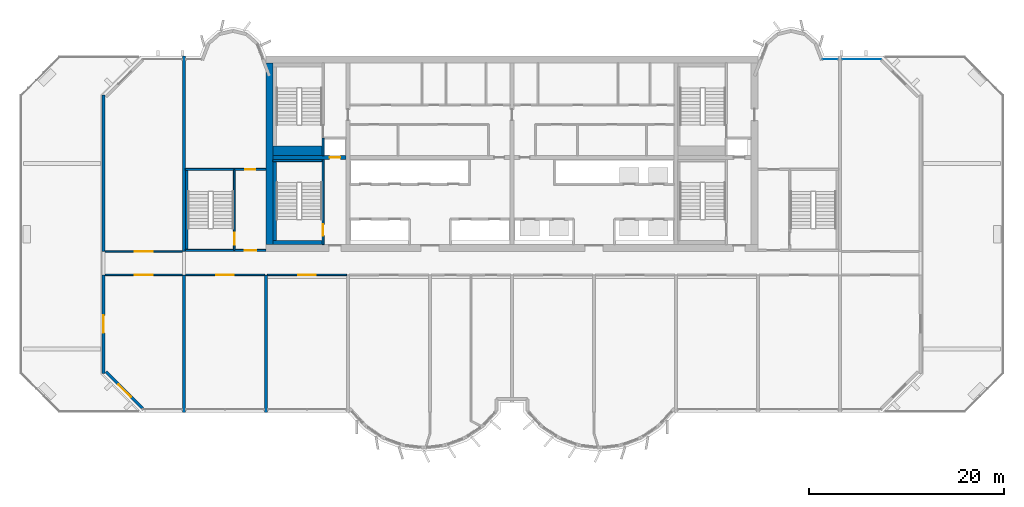
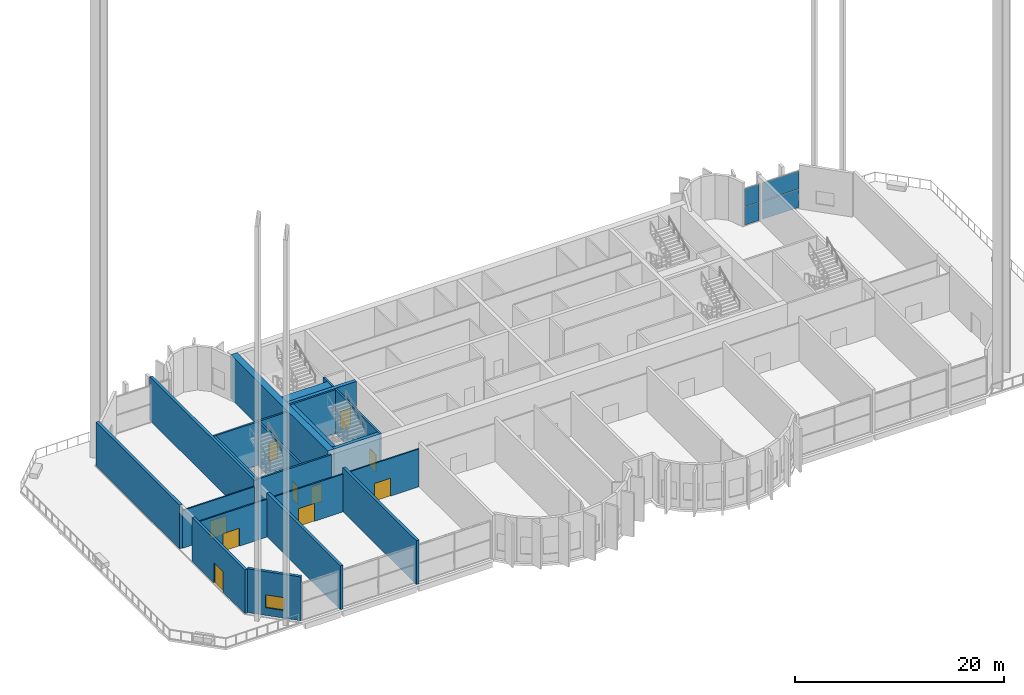
# One storey, part 10 of 19: 22 walls, 10 doors, 4 plates, 1 window, 11 openings, 2 elements without a shape of their own.
"""IFC4 building model written with IfcOpenShell, lengths in metres."""

from ifc_helpers import new_model, si_unit, direction, frame, frame_2d, origin, origin_2d, place, context, subcontext, project, spatial, rectangle, extrude, source, transform, mapped, material, layer, layer_set, type_object, element, fill, aggregate, save


model = new_model("IFC4")

# Units and contexts
model_context = context("Model", 3, precision=1e-05, world=origin(), true_north=direction((0.0, 1.0)))
body_context = subcontext(model_context, "Body", "Model", "MODEL_VIEW")
ifc_project = project(units=[si_unit("LENGTHUNIT", "METRE"), si_unit("AREAUNIT", "SQUARE_METRE"), si_unit("VOLUMEUNIT", "CUBIC_METRE"), si_unit("PLANEANGLEUNIT", "RADIAN"), si_unit("MASSUNIT", "GRAM", prefix="KILO")], contexts=[model_context])

# Site, building, storey
site_placement = place(None, origin())
site = spatial("IfcSite", under=ifc_project, at=site_placement, CompositionType="ELEMENT")
building_placement = place(site_placement, origin())
building = spatial("IfcBuilding", under=site, at=building_placement, Name="Vanashikhar Sky Hotel", CompositionType="ELEMENT")
storey_placement = place(building_placement, frame((0.0, 0.0, 146.199951171875)))
storey = spatial("IfcBuildingStorey", under=building, at=storey_placement, Name="L35", CompositionType="ELEMENT", Elevation=146.199951171875)

# Curtain wall, plates
ifc_material_1 = material(Name="Glass", Category="glass")
curtain_wall_type = type_object("IfcCurtainWallType", Name="Sky lobby curtain wall", PredefinedType="NOTDEFINED", material=ifc_material_1)
curtain_wall_1_placement = place(storey_placement, origin())
curtain_wall_1 = element("IfcCurtainWall", 1, at=curtain_wall_1_placement, inside=storey, type_object=curtain_wall_type, Name="Sky lobby curtain wall", PredefinedType="NOTDEFINED")
ifc_layer_1 = layer(ifc_material_1, 0.028076171875)
ifc_layer_set_1 = layer_set([ifc_layer_1], Name="Sky lobby glazing panel")
plate_type = type_object("IfcPlateType", Name="Sky lobby glazing panel", PredefinedType="CURTAIN_PANEL", material=ifc_layer_set_1)
shared_shape_1 = source(origin(), body_context, "Body", "SweptSolid", [
    extrude(rectangle(XDim=3.995361328125, YDim=0.028076171875, at=origin_2d()), origin(), (0.0, 0.0, 1.0), 2.094970703125),
])
plate_1_placement = place(storey_placement, frame((86.207763671875, 41.675048828125, 0.06005859375), z_axis=(0.0, 0.0, 1.0), x_axis=(-1.0, 0.0, 0.0)))
plate_1 = element("IfcPlate", 2, at=plate_1_placement, type_object=plate_type, Name="CW-4 panel 1.1", PredefinedType="CURTAIN_PANEL", context=body_context, shape_type="MappedRepresentation", body=[
    mapped(shared_shape_1, transform((0.0, 0.0, 0.0), scale=1.0)),
])
plate_2_placement = place(storey_placement, frame((86.207763671875, 41.675048828125, 2.21484375), z_axis=(0.0, 0.0, 1.0), x_axis=(-1.0, 0.0, 0.0)))
plate_2 = element("IfcPlate", 3, at=plate_2_placement, type_object=plate_type, Name="CW-4 panel 1.2", PredefinedType="CURTAIN_PANEL", context=body_context, shape_type="MappedRepresentation", body=[
    mapped(shared_shape_1, transform((0.0, 0.0, 0.0), scale=1.0)),
])
aggregate(curtain_wall_1, [plate_1, plate_2])

curtain_wall_2_placement = place(storey_placement, origin())
curtain_wall_2 = element("IfcCurtainWall", 4, at=curtain_wall_2_placement, inside=storey, type_object=curtain_wall_type, Name="Sky lobby curtain wall", PredefinedType="NOTDEFINED")
shared_shape_2 = source(origin(), body_context, "Body", "SweptSolid", [
    extrude(rectangle(XDim=1.553466796875, YDim=0.028076171875, at=origin_2d()), origin(), (0.0, 0.0, 1.0), 2.094970703125),
])
plate_3_placement = place(storey_placement, frame((83.01318359375, 41.675048828125, 0.06005859375), z_axis=(0.0, 0.0, 1.0), x_axis=(-1.0, 0.0, 0.0)))
plate_3 = element("IfcPlate", 5, at=plate_3_placement, type_object=plate_type, Name="CW-4 panel 1.1", PredefinedType="CURTAIN_PANEL", context=body_context, shape_type="MappedRepresentation", body=[
    mapped(shared_shape_2, transform((0.0, 0.0, 0.0), scale=1.0)),
])
plate_4_placement = place(storey_placement, frame((83.01318359375, 41.675048828125, 2.21484375), z_axis=(0.0, 0.0, 1.0), x_axis=(-1.0, 0.0, 0.0)))
plate_4 = element("IfcPlate", 6, at=plate_4_placement, type_object=plate_type, Name="CW-4 panel 1.2", PredefinedType="CURTAIN_PANEL", context=body_context, shape_type="MappedRepresentation", body=[
    mapped(shared_shape_2, transform((0.0, 0.0, 0.0), scale=1.0)),
])
aggregate(curtain_wall_2, [plate_3, plate_4])

# Wall
ifc_material_2 = material(Name="Concrete M60", Category="concrete")
ifc_layer_2 = layer(ifc_material_2, 0.699951171875)
ifc_layer_set_2 = layer_set([ifc_layer_2], Name="RC core shell wall 700 Concrete M60")
wall_type_1 = type_object("IfcWallType", Name="RC core shell wall 700 Concrete M60", PredefinedType="SHEAR", material=ifc_layer_set_2)
shared_shape_3 = source(origin(), body_context, "Body", "SweptSolid", [
    extrude(rectangle(XDim=18.60009765625, YDim=0.699951171875, at=frame_2d((9.300048828125, 0.0))), origin(), (0.0, 0.0, 1.0), 5.1201171875),
])
wall_1_placement = place(storey_placement, frame((25.550048828125, 22.699951171875, 0.0), z_axis=(0.0, 0.0, 1.0), x_axis=(0.0, 1.0, 0.0)))
element("IfcWall", 7, at=wall_1_placement, inside=storey, type_object=wall_type_1, Name="KW-L35-KW", PredefinedType="SHEAR", context=body_context, shape_type="MappedRepresentation", body=[
    mapped(shared_shape_3, transform((0.0, 0.0, 0.0), scale=1.0)),
])

# Wall, opening, door
ifc_layer_3 = layer(ifc_material_2, 0.39990234375)
ifc_layer_set_3 = layer_set([ifc_layer_3], Name="RC core inner wall 400 Concrete M60")
wall_type_2 = type_object("IfcWallType", Name="RC core inner wall 400 Concrete M60", PredefinedType="SHEAR", material=ifc_layer_set_3)
shared_shape_4 = source(origin(), body_context, "Body", "SweptSolid", [
    extrude(rectangle(XDim=7.5, YDim=0.39990234375, at=frame_2d((3.75, 0.0))), origin(), (0.0, 0.0, 1.0), 5.1201171875),
])
wall_2_placement = place(storey_placement, frame((25.89990234375, 31.60009765625, 0.0), z_axis=(0.0, 0.0, 1.0), x_axis=(1.0, 0.0, 0.0)))
wall_2 = element("IfcWall", 8, at=wall_2_placement, inside=storey, type_object=wall_type_2, Name="KW-L35-KY1", PredefinedType="SHEAR", context=body_context, shape_type="MappedRepresentation", body=[
    mapped(shared_shape_4, transform((0.0, 0.0, 0.0), scale=1.0)),
])
shared_shape_5 = source(origin(), body_context, "Body", "SweptSolid", [
    extrude(rectangle(XDim=1.10009765625, YDim=2.10009765625, at=frame_2d((0.550048828125, 1.050048828125))), frame((0.0, 0.2099609375, 0.0), z_axis=(0.0, -1.0, 0.0), x_axis=(1.0, 0.0, 0.0)), (0.0, 0.0, 1.0), 0.419921875),
])
opening_1_placement = place(wall_2_placement, frame((5.824951171875, 0.0, 0.0)))
opening_1 = element("IfcOpeningElement", 9, at=opening_1_placement, cuts=wall_2, Name="Opening LD", PredefinedType="OPENING", context=body_context, shape_type="MappedRepresentation", body=[
    mapped(shared_shape_5, transform((0.0, 0.0, 0.0), scale=1.0)),
])
ifc_material_3 = material(Name="Stainless steel", Category="steel")
door_type_1 = type_object("IfcDoorType", Name="Lift landing door 1100", OperationType="NOTDEFINED", PredefinedType="DOOR", material=ifc_material_3)
shared_shape_6 = source(origin(), body_context, "Body", "SweptSolid", [
    extrude(rectangle(XDim=1.10009765625, YDim=2.10009765625, at=frame_2d((0.550048828125, 1.050048828125))), frame((0.0, 0.02490234375, 0.0), z_axis=(0.0, -1.0, 0.0), x_axis=(1.0, 0.0, 0.0)), (0.0, 0.0, 1.0), 0.050048828125),
])
door_1_placement = place(opening_1_placement, origin())
door_1 = element("IfcDoor", 10, at=door_1_placement, inside=storey, type_object=door_type_1, Name="Lift landing door 1100", OperationType="SLIDING_TO_RIGHT", OverallHeight=2.10009765625, OverallWidth=1.10009765625, PredefinedType="DOOR", context=body_context, shape_type="MappedRepresentation", body=[
    mapped(shared_shape_6, transform((0.0, 0.0, 0.0), scale=1.0)),
])
fill(opening_1, door_1)

ifc_layer_4 = layer(ifc_material_2, 0.300048828125)
ifc_layer_set_4 = layer_set([ifc_layer_4], Name="RC shear wall 300 Concrete M60")
wall_type_3 = type_object("IfcWallType", Name="RC shear wall 300 Concrete M60", PredefinedType="SHEAR", material=ifc_layer_set_4)
shared_shape_7 = source(origin(), body_context, "Body", "SweptSolid", [
    extrude(rectangle(XDim=10.10009765625, YDim=0.300048828125, at=frame_2d((5.050048828125, 0.0))), origin(), (0.0, 0.0, 1.0), 5.1201171875),
])
wall_3_placement = place(storey_placement, frame((8.550048828125, 9.5, 0.0), z_axis=(0.0, 0.0, 1.0), x_axis=(0.0, 1.0, 0.0)))
wall_3 = element("IfcWall", 11, at=wall_3_placement, inside=storey, type_object=wall_type_3, Name="CW-L35-XW02-1", PredefinedType="SHEAR", context=body_context, shape_type="MappedRepresentation", body=[
    mapped(shared_shape_7, transform((0.0, 0.0, 0.0), scale=1.0)),
])
shared_shape_8 = source(origin(), body_context, "Body", "SweptSolid", [
    extrude(rectangle(XDim=1.800048828125, YDim=2.39990234375, at=frame_2d((0.89990234375, 1.199951171875))), frame((0.0, 0.16015625, 0.0), z_axis=(0.0, -1.0, 0.0), x_axis=(1.0, 0.0, 0.0)), (0.0, 0.0, 1.0), 0.320068359375),
])
opening_2_placement = place(wall_3_placement, frame((4.14990234375, 0.0, 0.0)))
opening_2 = element("IfcOpeningElement", 12, at=opening_2_placement, cuts=wall_3, Name="Opening LD-01", PredefinedType="OPENING", context=body_context, shape_type="MappedRepresentation", body=[
    mapped(shared_shape_8, transform((0.0, 0.0, 0.0), scale=1.0)),
])
ifc_material_4 = material(Name="Aluminium", Category="aluminium")
door_type_2 = type_object("IfcDoorType", Name="Lookout sliding door 1800 x 2400", OperationType="NOTDEFINED", PredefinedType="DOOR", material=ifc_material_4)
shared_shape_9 = source(origin(), body_context, "Body", "SweptSolid", [
    extrude(rectangle(XDim=1.800048828125, YDim=2.39990234375, at=frame_2d((0.89990234375, 1.199951171875))), frame((0.0, 0.02490234375, 0.0), z_axis=(0.0, -1.0, 0.0), x_axis=(1.0, 0.0, 0.0)), (0.0, 0.0, 1.0), 0.050048828125),
])
door_2_placement = place(opening_2_placement, origin())
door_2 = element("IfcDoor", 13, at=door_2_placement, inside=storey, type_object=door_type_2, Name="Terrace sliding door", OperationType="SLIDING_TO_LEFT", OverallHeight=2.39990234375, OverallWidth=1.800048828125, PredefinedType="DOOR", context=body_context, shape_type="MappedRepresentation", body=[
    mapped(shared_shape_9, transform((0.0, 0.0, 0.0), scale=1.0)),
])
fill(opening_2, door_2)

# Walls
shared_shape_10 = source(origin(), body_context, "Body", "SweptSolid", [
    extrude(rectangle(XDim=16.0, YDim=0.300048828125, at=frame_2d((8.0, 0.0))), origin(), (0.0, 0.0, 1.0), 5.1201171875),
])
wall_4_placement = place(storey_placement, frame((8.550048828125, 22.0, 0.0), z_axis=(0.0, 0.0, 1.0), x_axis=(0.0, 1.0, 0.0)))
element("IfcWall", 14, at=wall_4_placement, inside=storey, type_object=wall_type_3, Name="CW-L35-XW02-2", PredefinedType="SHEAR", context=body_context, shape_type="MappedRepresentation", body=[
    mapped(shared_shape_10, transform((0.0, 0.0, 0.0), scale=1.0)),
])
shared_shape_11 = source(origin(), body_context, "Body", "SweptSolid", [
    extrude(rectangle(XDim=14.10009765625, YDim=0.300048828125, at=frame_2d((7.050048828125, 0.0))), origin(), (0.0, 0.0, 1.0), 5.1201171875),
])
for number, where, z_axis, x_axis, name in (
    (15, (16.800048828125, 5.5, 0.0), (0.0, 0.0, 1.0), (0.0, 1.0, 0.0), "CW-L35-XW03-1"),
    (16, (25.199951171875, 5.5, 0.0), (0.0, 0.0, 1.0), (0.0, 1.0, 0.0), "CW-L35-XW04-1"),
):
    element("IfcWall", number, at=place(storey_placement, frame(where, z_axis=z_axis, x_axis=x_axis)), inside=storey, type_object=wall_type_3, Name=name, PredefinedType="SHEAR", context=body_context, shape_type="MappedRepresentation", body=[
        mapped(shared_shape_11, transform((0.0, 0.0, 0.0), scale=1.0)),
    ])
shared_shape_12 = source(origin(), body_context, "Body", "SweptSolid", [
    extrude(rectangle(XDim=20.0, YDim=0.300048828125, at=frame_2d((10.0, 0.0))), origin(), (0.0, 0.0, 1.0), 5.1201171875),
])
wall_5_placement = place(storey_placement, frame((16.800048828125, 22.0, 0.0), z_axis=(0.0, 0.0, 1.0), x_axis=(0.0, 1.0, 0.0)))
element("IfcWall", 17, at=wall_5_placement, inside=storey, type_object=wall_type_3, Name="CW-L35-XW03-2", PredefinedType="SHEAR", context=body_context, shape_type="MappedRepresentation", body=[
    mapped(shared_shape_12, transform((0.0, 0.0, 0.0), scale=1.0)),
])

# Wall, opening, window
ifc_material_5 = material(Name="Concrete M50", Category="concrete")
ifc_layer_5 = layer(ifc_material_5, 0.300048828125)
ifc_layer_set_5 = layer_set([ifc_layer_5], Name="Lobe wall 300")
wall_type_4 = type_object("IfcWallType", Name="Lobe wall 300", PredefinedType="SOLIDWALL", material=ifc_layer_set_5)
shared_shape_13 = source(origin(), body_context, "Body", "SweptSolid", [
    extrude(rectangle(XDim=5.32568359375, YDim=0.300048828125, at=frame_2d((2.662841796875, 0.0))), origin(), (0.0, 0.0, 1.0), 5.1201171875),
])
wall_6_placement = place(storey_placement, frame((8.800048828125, 9.665771484375, 0.0), z_axis=(0.0, 0.0, 1.0), x_axis=(0.707083859269, -0.707129702361, 0.0)))
wall_6 = element("IfcWall", 18, at=wall_6_placement, inside=storey, type_object=wall_type_4, Name="Corner wall", PredefinedType="SOLIDWALL", context=body_context, shape_type="MappedRepresentation", body=[
    mapped(shared_shape_13, transform((0.0, 0.0, 0.0), scale=1.0)),
])
shared_shape_14 = source(origin(), body_context, "Body", "SweptSolid", [
    extrude(rectangle(XDim=1.800048828125, YDim=1.5, at=frame_2d((0.89990234375, 0.75))), frame((0.0, 0.16015625, 0.0), z_axis=(0.0, -1.0, 0.0), x_axis=(1.0, 0.0, 0.0)), (0.0, 0.0, 1.0), 0.320068359375),
])
opening_3_placement = place(wall_6_placement, frame((1.8359375, 0.0, 0.89990234375)))
opening_3 = element("IfcOpeningElement", 19, at=opening_3_placement, cuts=wall_6, Name="Opening WN-4", PredefinedType="OPENING", context=body_context, shape_type="MappedRepresentation", body=[
    mapped(shared_shape_14, transform((0.0, 0.0, 0.0), scale=1.0)),
])
window_type = type_object("IfcWindowType", Name="Corner window 1800 x 1500", PartitioningType="SINGLE_PANEL", PredefinedType="WINDOW", material=ifc_material_1)
shared_shape_15 = source(origin(), body_context, "Body", "SweptSolid", [
    extrude(rectangle(XDim=1.800048828125, YDim=1.5, at=frame_2d((0.89990234375, 0.75))), frame((0.0, 0.030029296875, 0.0), z_axis=(0.0, -1.0, 0.0), x_axis=(1.0, 0.0, 0.0)), (0.0, 0.0, 1.0), 0.06005859375),
])
window_placement = place(opening_3_placement, origin())
window = element("IfcWindow", 20, at=window_placement, inside=storey, type_object=window_type, Name="Window WN-4", OverallHeight=1.5, OverallWidth=1.800048828125, PartitioningType="SINGLE_PANEL", PredefinedType="WINDOW", context=body_context, shape_type="MappedRepresentation", body=[
    mapped(shared_shape_15, transform((0.0, 0.0, 0.0), scale=1.0)),
])
fill(opening_3, window)

# Wall, opening, door
ifc_layer_6 = layer(ifc_material_5, 0.199951171875)
ifc_layer_set_6 = layer_set([ifc_layer_6], Name="Stair wall 200")
wall_type_5 = type_object("IfcWallType", Name="Stair wall 200", PredefinedType="SOLIDWALL", material=ifc_layer_set_6)
shared_shape_16 = source(origin(), body_context, "Body", "SweptSolid", [
    extrude(rectangle(XDim=8.2998046875, YDim=0.199951171875, at=frame_2d((4.14990234375, 0.0))), origin(), (0.0, 0.0, 1.0), 5.1201171875),
])
wall_7_placement = place(storey_placement, frame((21.949951171875, 22.10009765625, 0.0), z_axis=(0.0, 0.0, 1.0), x_axis=(0.0, 1.0, 0.0)))
wall_7 = element("IfcWall", 21, at=wall_7_placement, inside=storey, type_object=wall_type_5, Name="Stair wall 200", PredefinedType="SOLIDWALL", context=body_context, shape_type="MappedRepresentation", body=[
    mapped(shared_shape_16, transform((0.0, 0.0, 0.0), scale=1.0)),
])
shared_shape_17 = source(origin(), body_context, "Body", "SweptSolid", [
    extrude(rectangle(XDim=1.199951171875, YDim=2.10009765625, at=frame_2d((0.60009765625, 1.050048828125))), frame((0.0, 0.10986328125, 0.0), z_axis=(0.0, -1.0, 0.0), x_axis=(1.0, 0.0, 0.0)), (0.0, 0.0, 1.0), 0.219970703125),
])
opening_4_placement = place(wall_7_placement, frame((0.60009765625, 0.0, 0.0)))
opening_4 = element("IfcOpeningElement", 22, at=opening_4_placement, cuts=wall_7, Name="Opening DC-1", PredefinedType="OPENING", context=body_context, shape_type="MappedRepresentation", body=[
    mapped(shared_shape_17, transform((0.0, 0.0, 0.0), scale=1.0)),
])
ifc_material_6 = material(Name="Steel", Category="steel")
door_type_3 = type_object("IfcDoorType", Name="Stair door 1200 FD120", OperationType="NOTDEFINED", PredefinedType="DOOR", material=ifc_material_6)
shared_shape_18 = source(origin(), body_context, "Body", "SweptSolid", [
    extrude(rectangle(XDim=1.199951171875, YDim=2.10009765625, at=frame_2d((0.60009765625, 1.050048828125))), frame((0.0, 0.02490234375, 0.0), z_axis=(0.0, -1.0, 0.0), x_axis=(1.0, 0.0, 0.0)), (0.0, 0.0, 1.0), 0.050048828125),
])
door_3_placement = place(opening_4_placement, origin())
door_3 = element("IfcDoor", 23, at=door_3_placement, inside=storey, type_object=door_type_3, Name="Stair door 1200 FD120", OperationType="SINGLE_SWING_RIGHT", OverallHeight=2.10009765625, OverallWidth=1.199951171875, PredefinedType="DOOR", context=body_context, shape_type="MappedRepresentation", body=[
    mapped(shared_shape_18, transform((0.0, 0.0, 0.0), scale=1.0)),
])
fill(opening_4, door_3)

shared_shape_19 = source(origin(), body_context, "Body", "SweptSolid", [
    extrude(rectangle(XDim=8.699951171875, YDim=0.199951171875, at=frame_2d((4.35009765625, 0.0))), origin(), (0.0, 0.0, 1.0), 5.1201171875),
])
wall_8_placement = place(storey_placement, frame((31.050048828125, 22.699951171875, 0.0), z_axis=(0.0, 0.0, 1.0), x_axis=(0.0, 1.0, 0.0)))
wall_8 = element("IfcWall", 24, at=wall_8_placement, inside=storey, type_object=wall_type_5, Name="Stair wall 200", PredefinedType="SOLIDWALL", context=body_context, shape_type="MappedRepresentation", body=[
    mapped(shared_shape_19, transform((0.0, 0.0, 0.0), scale=1.0)),
])
opening_5_placement = place(wall_8_placement, frame((0.89990234375, 0.0, 0.0)))
opening_5 = element("IfcOpeningElement", 25, at=opening_5_placement, cuts=wall_8, Name="Opening DC-1", PredefinedType="OPENING", context=body_context, shape_type="MappedRepresentation", body=[
    mapped(shared_shape_17, transform((0.0, 0.0, 0.0), scale=1.0)),
])
door_4_placement = place(opening_5_placement, origin())
door_4 = element("IfcDoor", 26, at=door_4_placement, inside=storey, type_object=door_type_3, Name="Stair door 1200 FD120", OperationType="SINGLE_SWING_RIGHT", OverallHeight=2.10009765625, OverallWidth=1.199951171875, PredefinedType="DOOR", context=body_context, shape_type="MappedRepresentation", body=[
    mapped(shared_shape_18, transform((0.0, 0.0, 0.0), scale=1.0)),
])
fill(opening_5, door_4)

# Wall
ifc_material_7 = material(Name="Concrete M40", Category="concrete")
ifc_layer_7 = layer(ifc_material_7, 0.199951171875)
ifc_layer_set_7 = layer_set([ifc_layer_7], Name="Shaft wall 200")
wall_type_6 = type_object("IfcWallType", Name="Shaft wall 200", PredefinedType="SOLIDWALL", material=ifc_layer_set_7)
shared_shape_20 = source(origin(), body_context, "Body", "SweptSolid", [
    extrude(rectangle(XDim=1.800048828125, YDim=0.199951171875, at=frame_2d((0.89990234375, 0.0))), origin(), (0.0, 0.0, 1.0), 5.1201171875),
])
wall_9_placement = place(storey_placement, frame((31.050048828125, 31.800048828125, 0.0), z_axis=(0.0, 0.0, 1.0), x_axis=(0.0, 1.0, 0.0)))
element("IfcWall", 27, at=wall_9_placement, inside=storey, type_object=wall_type_6, Name="Shaft wall 200", PredefinedType="SOLIDWALL", context=body_context, shape_type="MappedRepresentation", body=[
    mapped(shared_shape_20, transform((0.0, 0.0, 0.0), scale=1.0)),
])

# Wall, opening, door
shared_shape_21 = source(origin(), body_context, "Body", "SweptSolid", [
    extrude(rectangle(XDim=8.25, YDim=0.199951171875, at=frame_2d((4.125, 0.0))), origin(), (0.0, 0.0, 1.0), 5.1201171875),
])
wall_10_placement = place(storey_placement, frame((16.949951171875, 22.10009765625, 0.0), z_axis=(0.0, 0.0, 1.0), x_axis=(1.0, 0.0, 0.0)))
wall_10 = element("IfcWall", 28, at=wall_10_placement, inside=storey, type_object=wall_type_5, Name="Stair wall 200", PredefinedType="SOLIDWALL", context=body_context, shape_type="MappedRepresentation", body=[
    mapped(shared_shape_21, transform((0.0, 0.0, 0.0), scale=1.0)),
])
opening_6_placement = place(wall_10_placement, frame((6.050048828125, 0.0, 0.0)))
opening_6 = element("IfcOpeningElement", 29, at=opening_6_placement, cuts=wall_10, Name="Opening DC-2", PredefinedType="OPENING", context=body_context, shape_type="MappedRepresentation", body=[
    mapped(shared_shape_17, transform((0.0, 0.0, 0.0), scale=1.0)),
])
door_type_4 = type_object("IfcDoorType", Name="Firefighting lobby door 1200 FD120", OperationType="NOTDEFINED", PredefinedType="DOOR", material=ifc_material_6)
door_5_placement = place(opening_6_placement, origin())
door_5 = element("IfcDoor", 30, at=door_5_placement, inside=storey, type_object=door_type_4, Name="Firefighting lobby door 1200 FD120", OperationType="SINGLE_SWING_LEFT", OverallHeight=2.10009765625, OverallWidth=1.199951171875, PredefinedType="DOOR", context=body_context, shape_type="MappedRepresentation", body=[
    mapped(shared_shape_18, transform((0.0, 0.0, 0.0), scale=1.0)),
])
fill(opening_6, door_5)

wall_11_placement = place(storey_placement, frame((16.949951171875, 30.39990234375, 0.0), z_axis=(0.0, 0.0, 1.0), x_axis=(1.0, 0.0, 0.0)))
wall_11 = element("IfcWall", 31, at=wall_11_placement, inside=storey, type_object=wall_type_5, Name="Stair wall 200", PredefinedType="SOLIDWALL", context=body_context, shape_type="MappedRepresentation", body=[
    mapped(shared_shape_21, transform((0.0, 0.0, 0.0), scale=1.0)),
])
shared_shape_22 = source(origin(), body_context, "Body", "SweptSolid", [
    extrude(rectangle(XDim=1.0, YDim=2.10009765625, at=frame_2d((0.5, 1.050048828125))), frame((0.0, 0.10986328125, 0.0), z_axis=(0.0, -1.0, 0.0), x_axis=(1.0, 0.0, 0.0)), (0.0, 0.0, 1.0), 0.219970703125),
])
opening_7_placement = place(wall_11_placement, frame((6.14990234375, 0.0, 0.0)))
opening_7 = element("IfcOpeningElement", 32, at=opening_7_placement, cuts=wall_11, Name="Opening DC-6", PredefinedType="OPENING", context=body_context, shape_type="MappedRepresentation", body=[
    mapped(shared_shape_22, transform((0.0, 0.0, 0.0), scale=1.0)),
])
door_type_5 = type_object("IfcDoorType", Name="Pocket door 1000 FD60", OperationType="NOTDEFINED", PredefinedType="DOOR", material=ifc_material_6)
shared_shape_23 = source(origin(), body_context, "Body", "SweptSolid", [
    extrude(rectangle(XDim=1.0, YDim=2.10009765625, at=frame_2d((0.5, 1.050048828125))), frame((0.0, 0.02490234375, 0.0), z_axis=(0.0, -1.0, 0.0), x_axis=(1.0, 0.0, 0.0)), (0.0, 0.0, 1.0), 0.050048828125),
])
door_6_placement = place(opening_7_placement, origin())
door_6 = element("IfcDoor", 33, at=door_6_placement, inside=storey, type_object=door_type_5, Name="Pocket door 1000 FD60", OperationType="SINGLE_SWING_LEFT", OverallHeight=2.10009765625, OverallWidth=1.0, PredefinedType="DOOR", context=body_context, shape_type="MappedRepresentation", body=[
    mapped(shared_shape_23, transform((0.0, 0.0, 0.0), scale=1.0)),
])
fill(opening_7, door_6)

# Walls
ifc_layer_8 = layer(ifc_material_5, 0.39990234375)
ifc_layer_set_8 = layer_set([ifc_layer_8], Name="Stair infill wall 400")
wall_type_7 = type_object("IfcWallType", Name="Stair infill wall 400", PredefinedType="SOLIDWALL", material=ifc_layer_set_8)
shared_shape_24 = source(origin(), body_context, "Body", "SweptSolid", [
    extrude(rectangle(XDim=5.050048828125, YDim=0.39990234375, at=frame_2d((2.52490234375, 0.0))), origin(), (0.0, 0.0, 1.0), 5.1201171875),
])
wall_12_placement = place(storey_placement, frame((25.89990234375, 22.89990234375, 0.0), z_axis=(0.0, 0.0, 1.0), x_axis=(1.0, 0.0, 0.0)))
element("IfcWall", 34, at=wall_12_placement, inside=storey, type_object=wall_type_7, Name="Stair infill wall 400", PredefinedType="SOLIDWALL", context=body_context, shape_type="MappedRepresentation", body=[
    mapped(shared_shape_24, transform((0.0, 0.0, 0.0), scale=1.0)),
])
ifc_layer_9 = layer(ifc_material_5, 0.199951171875)
ifc_layer_set_9 = layer_set([ifc_layer_9], Name="Stair infill wall 200")
wall_type_8 = type_object("IfcWallType", Name="Stair infill wall 200", PredefinedType="SOLIDWALL", material=ifc_layer_set_9)
shared_shape_25 = source(origin(), body_context, "Body", "SweptSolid", [
    extrude(rectangle(XDim=5.050048828125, YDim=0.199951171875, at=frame_2d((2.52490234375, 0.0))), origin(), (0.0, 0.0, 1.0), 5.1201171875),
])
wall_13_placement = place(storey_placement, frame((25.89990234375, 31.300048828125, 0.0), z_axis=(0.0, 0.0, 1.0), x_axis=(1.0, 0.0, 0.0)))
element("IfcWall", 35, at=wall_13_placement, inside=storey, type_object=wall_type_8, Name="Stair infill wall 200", PredefinedType="SOLIDWALL", context=body_context, shape_type="MappedRepresentation", body=[
    mapped(shared_shape_25, transform((0.0, 0.0, 0.0), scale=1.0)),
])
shared_shape_26 = source(origin(), body_context, "Body", "SweptSolid", [
    extrude(rectangle(XDim=8.099853515625, YDim=0.39990234375, at=frame_2d((4.0498046875, 0.0))), origin(), (0.0, 0.0, 1.0), 5.1201171875),
])
wall_14_placement = place(storey_placement, frame((26.10009765625, 23.10009765625, 0.0), z_axis=(0.0, 0.0, 1.0), x_axis=(0.0, 1.0, 0.0)))
element("IfcWall", 36, at=wall_14_placement, inside=storey, type_object=wall_type_7, Name="Stair infill wall 400", PredefinedType="SOLIDWALL", context=body_context, shape_type="MappedRepresentation", body=[
    mapped(shared_shape_26, transform((0.0, 0.0, 0.0), scale=1.0)),
])
ifc_layer_10 = layer(ifc_material_5, 0.25)
ifc_layer_set_10 = layer_set([ifc_layer_10], Name="Stair infill wall 250")
wall_type_9 = type_object("IfcWallType", Name="Stair infill wall 250", PredefinedType="SOLIDWALL", material=ifc_layer_set_10)
shared_shape_27 = source(origin(), body_context, "Body", "SweptSolid", [
    extrude(rectangle(XDim=8.10009765625, YDim=0.25, at=frame_2d((4.050048828125, 0.0))), origin(), (0.0, 0.0, 1.0), 5.1201171875),
])
wall_15_placement = place(storey_placement, frame((17.074951171875, 22.199951171875, 0.0), z_axis=(0.0, 0.0, 1.0), x_axis=(0.0, 1.0, 0.0)))
element("IfcWall", 37, at=wall_15_placement, inside=storey, type_object=wall_type_9, Name="Stair infill wall 250", PredefinedType="SOLIDWALL", context=body_context, shape_type="MappedRepresentation", body=[
    mapped(shared_shape_27, transform((0.0, 0.0, 0.0), scale=1.0)),
])
ifc_layer_11 = layer(ifc_material_5, 1.0)
ifc_layer_set_11 = layer_set([ifc_layer_11], Name="Stair infill wall 1000")
wall_type_10 = type_object("IfcWallType", Name="Stair infill wall 1000", PredefinedType="SOLIDWALL", material=ifc_layer_set_11)
shared_shape_28 = source(origin(), body_context, "Body", "SweptSolid", [
    extrude(rectangle(XDim=5.050048828125, YDim=1.0, at=frame_2d((2.52490234375, 0.0))), origin(), (0.0, 0.0, 1.0), 5.1201171875),
])
wall_16_placement = place(storey_placement, frame((25.89990234375, 32.300048828125, 0.0), z_axis=(0.0, 0.0, 1.0), x_axis=(1.0, 0.0, 0.0)))
element("IfcWall", 38, at=wall_16_placement, inside=storey, type_object=wall_type_10, Name="Stair infill wall 1000", PredefinedType="SOLIDWALL", context=body_context, shape_type="MappedRepresentation", body=[
    mapped(shared_shape_28, transform((0.0, 0.0, 0.0), scale=1.0)),
])

# Wall, opening, door
ifc_material_8 = material(Name="Gypsum plasterboard partition")
ifc_layer_12 = layer(ifc_material_8, 0.14990234375)
ifc_layer_set_12 = layer_set([ifc_layer_12], Name="Corridor and demising partition 150")
wall_type_11 = type_object("IfcWallType", Name="Corridor and demising partition 150", PredefinedType="PARTITIONING", material=ifc_layer_set_12)
shared_shape_29 = source(origin(), body_context, "Body", "SweptSolid", [
    extrude(rectangle(XDim=7.949951171875, YDim=0.14990234375, at=frame_2d((3.97509765625, 0.0))), origin(), (0.0, 0.0, 1.0), 4.420166015625),
])
wall_17_placement = place(storey_placement, frame((8.699951171875, 19.60009765625, 0.0), z_axis=(0.0, 0.0, 1.0), x_axis=(1.0, 0.0, 0.0)))
wall_17 = element("IfcWall", 39, at=wall_17_placement, inside=storey, type_object=wall_type_11, Name="W-L35-PW001", PredefinedType="PARTITIONING", context=body_context, shape_type="MappedRepresentation", body=[
    mapped(shared_shape_29, transform((0.0, 0.0, 0.0), scale=1.0)),
])
shared_shape_30 = source(origin(), body_context, "Body", "SweptSolid", [
    extrude(rectangle(XDim=1.800048828125, YDim=2.10009765625, at=frame_2d((0.89990234375, 1.050048828125))), frame((0.0, 0.0849609375, 0.0), z_axis=(0.0, -1.0, 0.0), x_axis=(1.0, 0.0, 0.0)), (0.0, 0.0, 1.0), 0.169921875),
])
opening_8_placement = place(wall_17_placement, frame((3.074951171875, 0.0, 0.0)))
opening_8 = element("IfcOpeningElement", 40, at=opening_8_placement, cuts=wall_17, Name="Opening D-03", PredefinedType="OPENING", context=body_context, shape_type="MappedRepresentation", body=[
    mapped(shared_shape_30, transform((0.0, 0.0, 0.0), scale=1.0)),
])
ifc_material_9 = material(Name="Timber fire door", Category="wood")
door_type_6 = type_object("IfcDoorType", Name="Double leaf door 1800 FD30S", OperationType="NOTDEFINED", PredefinedType="DOOR", material=ifc_material_9)
shared_shape_31 = source(origin(), body_context, "Body", "SweptSolid", [
    extrude(rectangle(XDim=1.800048828125, YDim=2.10009765625, at=frame_2d((0.89990234375, 1.050048828125))), frame((0.0, 0.02490234375, 0.0), z_axis=(0.0, -1.0, 0.0), x_axis=(1.0, 0.0, 0.0)), (0.0, 0.0, 1.0), 0.050048828125),
])
door_7_placement = place(opening_8_placement, origin())
door_7 = element("IfcDoor", 41, at=door_7_placement, inside=storey, type_object=door_type_6, Name="D-L35-001", OperationType="DOUBLE_DOOR_SINGLE_SWING", OverallHeight=2.10009765625, OverallWidth=1.800048828125, PredefinedType="DOOR", context=body_context, shape_type="MappedRepresentation", body=[
    mapped(shared_shape_31, transform((0.0, 0.0, 0.0), scale=1.0)),
])
fill(opening_8, door_7)

wall_18_placement = place(storey_placement, frame((8.699951171875, 22.0, 0.0), z_axis=(0.0, 0.0, 1.0), x_axis=(1.0, 0.0, 0.0)))
wall_18 = element("IfcWall", 42, at=wall_18_placement, inside=storey, type_object=wall_type_11, Name="W-L35-PW015", PredefinedType="PARTITIONING", context=body_context, shape_type="MappedRepresentation", body=[
    mapped(shared_shape_29, transform((0.0, 0.0, 0.0), scale=1.0)),
])
opening_9_placement = place(wall_18_placement, frame((3.074951171875, 0.0, 0.0)))
opening_9 = element("IfcOpeningElement", 43, at=opening_9_placement, cuts=wall_18, Name="Opening D-03", PredefinedType="OPENING", context=body_context, shape_type="MappedRepresentation", body=[
    mapped(shared_shape_30, transform((0.0, 0.0, 0.0), scale=1.0)),
])
door_8_placement = place(opening_9_placement, origin())
door_8 = element("IfcDoor", 44, at=door_8_placement, inside=storey, type_object=door_type_6, Name="D-L35-012", OperationType="DOUBLE_DOOR_SINGLE_SWING", OverallHeight=2.10009765625, OverallWidth=1.800048828125, PredefinedType="DOOR", context=body_context, shape_type="MappedRepresentation", body=[
    mapped(shared_shape_31, transform((0.0, 0.0, 0.0), scale=1.0)),
])
fill(opening_9, door_8)

shared_shape_32 = source(origin(), body_context, "Body", "SweptSolid", [
    extrude(rectangle(XDim=8.10009765625, YDim=0.14990234375, at=frame_2d((4.050048828125, 0.0))), origin(), (0.0, 0.0, 1.0), 4.420166015625),
])
wall_19_placement = place(storey_placement, frame((16.949951171875, 19.60009765625, 0.0), z_axis=(0.0, 0.0, 1.0), x_axis=(1.0, 0.0, 0.0)))
wall_19 = element("IfcWall", 45, at=wall_19_placement, inside=storey, type_object=wall_type_11, Name="W-L35-PW002", PredefinedType="PARTITIONING", context=body_context, shape_type="MappedRepresentation", body=[
    mapped(shared_shape_32, transform((0.0, 0.0, 0.0), scale=1.0)),
])
opening_10_placement = place(wall_19_placement, frame((3.14990234375, 0.0, 0.0)))
opening_10 = element("IfcOpeningElement", 46, at=opening_10_placement, cuts=wall_19, Name="Opening D-03", PredefinedType="OPENING", context=body_context, shape_type="MappedRepresentation", body=[
    mapped(shared_shape_30, transform((0.0, 0.0, 0.0), scale=1.0)),
])
door_9_placement = place(opening_10_placement, origin())
door_9 = element("IfcDoor", 47, at=door_9_placement, inside=storey, type_object=door_type_6, Name="D-L35-002", OperationType="DOUBLE_DOOR_SINGLE_SWING", OverallHeight=2.10009765625, OverallWidth=1.800048828125, PredefinedType="DOOR", context=body_context, shape_type="MappedRepresentation", body=[
    mapped(shared_shape_31, transform((0.0, 0.0, 0.0), scale=1.0)),
])
fill(opening_10, door_9)

shared_shape_33 = source(origin(), body_context, "Body", "SweptSolid", [
    extrude(rectangle(XDim=8.099853515625, YDim=0.14990234375, at=frame_2d((4.0498046875, 0.0))), origin(), (0.0, 0.0, 1.0), 4.420166015625),
])
wall_20_placement = place(storey_placement, frame((25.35009765625, 19.60009765625, 0.0), z_axis=(0.0, 0.0, 1.0), x_axis=(1.0, 0.0, 0.0)))
wall_20 = element("IfcWall", 48, at=wall_20_placement, inside=storey, type_object=wall_type_11, Name="W-L35-PW003", PredefinedType="PARTITIONING", context=body_context, shape_type="MappedRepresentation", body=[
    mapped(shared_shape_33, transform((0.0, 0.0, 0.0), scale=1.0)),
])
opening_11_placement = place(wall_20_placement, frame((3.14990234375, 0.0, 0.0)))
opening_11 = element("IfcOpeningElement", 49, at=opening_11_placement, cuts=wall_20, Name="Opening D-03", PredefinedType="OPENING", context=body_context, shape_type="MappedRepresentation", body=[
    mapped(shared_shape_30, transform((0.0, 0.0, 0.0), scale=1.0)),
])
door_10_placement = place(opening_11_placement, origin())
door_10 = element("IfcDoor", 50, at=door_10_placement, inside=storey, type_object=door_type_6, Name="D-L35-003", OperationType="DOUBLE_DOOR_SINGLE_SWING", OverallHeight=2.10009765625, OverallWidth=1.800048828125, PredefinedType="DOOR", context=body_context, shape_type="MappedRepresentation", body=[
    mapped(shared_shape_31, transform((0.0, 0.0, 0.0), scale=1.0)),
])
fill(opening_11, door_10)

save(model, "model.ifc")
